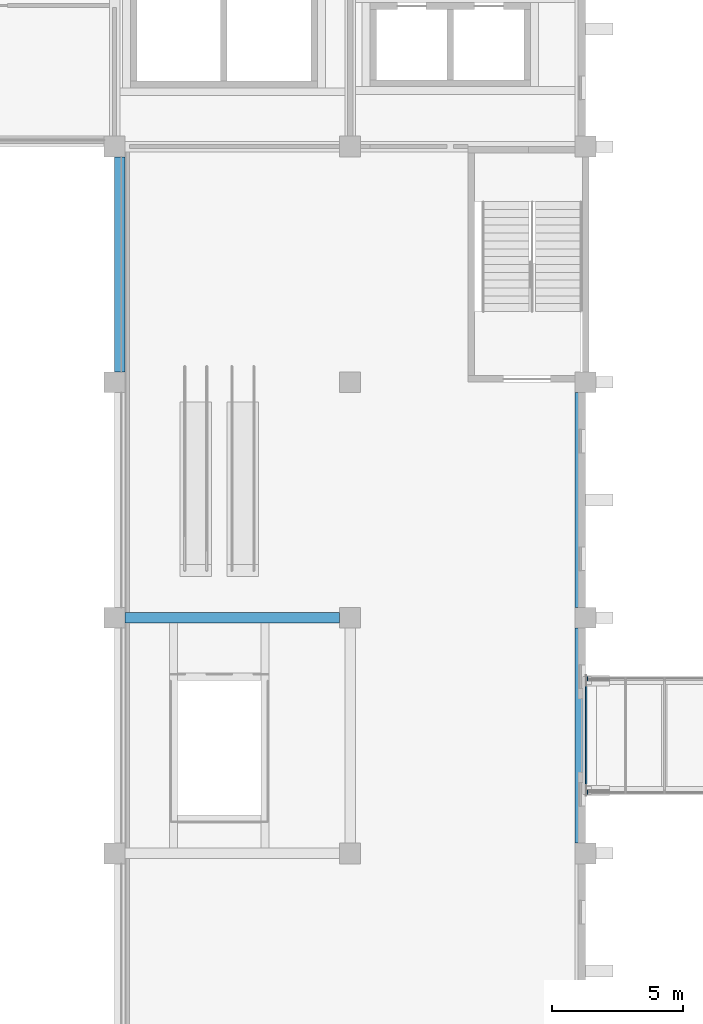
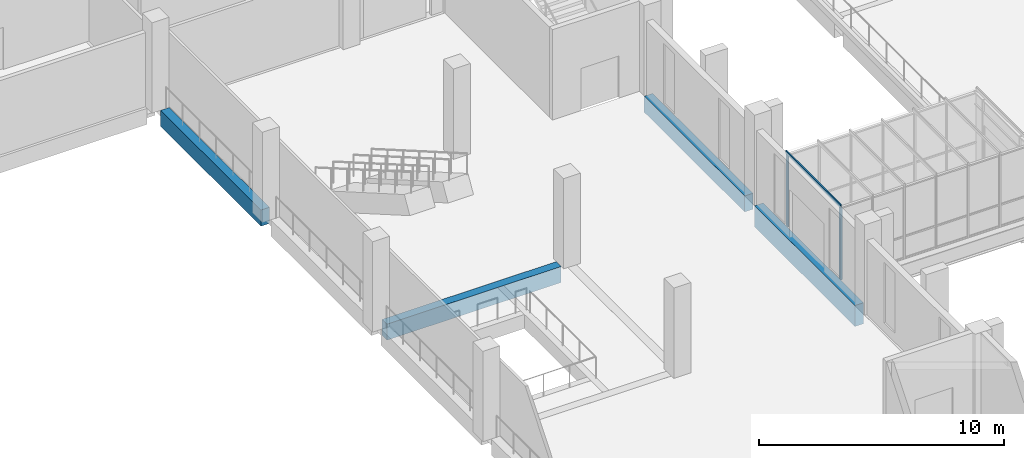
# One storey, part 16 of 79: 4 beams, 3 members, 3 elements without a shape of their own.
"""IFC4 building model written with IfcOpenShell, lengths in metres."""

import ifcopenshell
import ifcopenshell.guid

model = None  # the IFC model being written
_history = None  # IfcOwnerHistory: only IFC2X3 demands one
_inside = {}  # id of a spatial element -> (the spatial element, [elements in it])
_under = {}  # id of a project, library or spatial element -> (it, [spatial elements below it])
_declared = {}  # id of a project -> (the project, [libraries it declares])
_typed = {}  # id of a type object -> (the type object, [elements of that type])
_made_of = {}  # id of a material, layer set ... -> (it, [elements and type objects made of it])


def new_model(schema):
    """Start an empty IFC model of exactly this schema.

    Asked for "IFC4X3", IfcOpenShell would pick the latest addendum, in which some entities
    have other attributes; the version numbers below select the first issue.
    IFC2X3 requires an IfcOwnerHistory on every rooted entity: one is made here for all.
    """
    global model, _history
    if schema == "IFC4X3":
        model = ifcopenshell.file(schema_version=(4, 3, 0, 0))
    else:
        model = ifcopenshell.file(schema=schema)
    _inside.clear()
    _under.clear()
    _declared.clear()
    _typed.clear()
    _made_of.clear()
    _history = None
    if model.schema == "IFC2X3":
        org = make("IfcOrganization", Name="unknown")
        user = make(
            "IfcPersonAndOrganization",
            ThePerson=make("IfcPerson", FamilyName="unknown"),
            TheOrganization=org,
        )
        app = make(
            "IfcApplication",
            ApplicationDeveloper=org,
            Version="unknown",
            ApplicationFullName="unknown",
            ApplicationIdentifier="unknown",
        )
        _history = make(
            "IfcOwnerHistory",
            OwningUser=user,
            OwningApplication=app,
            ChangeAction="ADDED",
            CreationDate=0,
        )
    return model


def make(cls, **values):
    """One entity of the class cls with the attributes given. An attribute that is None is left unset."""
    return model.create_entity(
        cls, **{name: value for name, value in values.items() if value is not None}
    )


def rooted(cls, **values):
    """An entity with a GlobalId (a new one), such as an element, a storey or a relation."""
    return make(cls, GlobalId=ifcopenshell.guid.new(), OwnerHistory=_history, **values)


def si_unit(unit_type, name, prefix=None):
    """IfcSIUnit, for example si_unit("LENGTHUNIT", "METRE", prefix="MILLI")."""
    return make("IfcSIUnit", UnitType=unit_type, Prefix=prefix, Name=name)


def assignment(units):
    """IfcUnitAssignment: the units of a project."""
    return None if units is None else make("IfcUnitAssignment", Units=units)


def point(xyz):
    """IfcCartesianPoint."""
    return None if xyz is None else make("IfcCartesianPoint", Coordinates=xyz)


def direction(xyz):
    """IfcDirection."""
    return None if xyz is None else make("IfcDirection", DirectionRatios=xyz)


def frame(location, z_axis=None, x_axis=None):
    """IfcAxis2Placement3D, a coordinate frame: its origin and axes. An axis left out is left unset."""
    return make(
        "IfcAxis2Placement3D",
        Location=point(location),
        Axis=direction(z_axis),
        RefDirection=direction(x_axis),
    )


def frame_2d(location, x_axis=None):
    """IfcAxis2Placement2D, a coordinate frame in the plane: its origin and x axis."""
    return make(
        "IfcAxis2Placement2D", Location=point(location), RefDirection=direction(x_axis)
    )


def origin():
    """The frame at (0, 0, 0) with its axes left unset."""
    return frame((0.0, 0.0, 0.0))


def origin_2d():
    """The frame at (0, 0) in the plane with its x axis left unset."""
    return frame_2d((0.0, 0.0))


def place(relative_to, where):
    """IfcLocalPlacement: puts the frame where relative to a parent placement (None: the world)."""
    return make(
        "IfcLocalPlacement", PlacementRelTo=relative_to, RelativePlacement=where
    )


def context(
    kind, dimensions, precision=None, world=None, true_north=None, identifier=None
):
    """IfcGeometricRepresentationContext, for example the 3D "Model" context."""
    return make(
        "IfcGeometricRepresentationContext",
        ContextIdentifier=identifier,
        ContextType=kind,
        CoordinateSpaceDimension=dimensions,
        Precision=precision,
        WorldCoordinateSystem=world,
        TrueNorth=true_north,
    )


def subcontext(parent, identifier, kind, view, scale=None):
    """IfcGeometricRepresentationSubContext, for example "Body" below "Model"."""
    return make(
        "IfcGeometricRepresentationSubContext",
        ContextIdentifier=identifier,
        ContextType=kind,
        ParentContext=parent,
        TargetScale=scale,
        TargetView=view,
    )


def project(units=None, contexts=None):
    """IfcProject with its units and contexts."""
    return rooted(
        "IfcProject",
        Name="project",
        RepresentationContexts=contexts,
        UnitsInContext=assignment(units),
    )


def spatial(cls, under=None, at=None, **own):
    """A site, building, storey or space (cls), placed at a placement, below another one or the project."""
    s = rooted(cls, ObjectPlacement=at, **own)
    if under is not None:
        _under.setdefault(under.id(), (under, []))[1].append(s)
    return s


def profile(cls, at=None, kind="AREA", **sizes):
    """A parametric profile (cls). Its sizes go by their IFC names, for example OverallWidth=200.0."""
    return make(cls, ProfileType=kind, Position=at, **sizes)


def rectangle(**sizes):
    """IfcRectangleProfileDef."""
    return profile("IfcRectangleProfileDef", **sizes)


def extrude(swept, where, along, depth):
    """IfcExtrudedAreaSolid: the profile swept, set in the frame where, extruded along a direction by depth."""
    return make(
        "IfcExtrudedAreaSolid",
        SweptArea=swept,
        Position=where,
        ExtrudedDirection=direction(along),
        Depth=depth,
    )


def shape(context_of_items, identifier, shape_type, items):
    """IfcShapeRepresentation: the items that make up one representation, for example the "Body"."""
    return make(
        "IfcShapeRepresentation",
        ContextOfItems=context_of_items,
        RepresentationIdentifier=identifier,
        RepresentationType=shape_type,
        Items=items,
    )


def material(Name=None, Category=None):
    """IfcMaterial."""
    return make("IfcMaterial", Name=Name, Category=Category)


def layer(
    of_material, thickness, ventilated=None, Name=None, Category=None, Priority=None
):
    """IfcMaterialLayer: one layer of a wall or slab, of a material (None: an air gap)."""
    return make(
        "IfcMaterialLayer",
        Material=of_material,
        LayerThickness=thickness,
        IsVentilated=ventilated,
        Name=Name,
        Category=Category,
        Priority=Priority,
    )


def layer_set(layers, Name=None):
    """IfcMaterialLayerSet."""
    return make("IfcMaterialLayerSet", MaterialLayers=layers, LayerSetName=Name)


def material_profile(
    of_material, cross_section, Name=None, Category=None, Priority=None
):
    """IfcMaterialProfile: a cross section and its material."""
    return make(
        "IfcMaterialProfile",
        Name=Name,
        Material=of_material,
        Profile=cross_section,
        Priority=Priority,
        Category=Category,
    )


def profile_set(profiles, Name=None, composite=None):
    """IfcMaterialProfileSet."""
    return make(
        "IfcMaterialProfileSet",
        Name=Name,
        MaterialProfiles=profiles,
        CompositeProfile=composite,
    )


def made_of(thing, what):
    """Note that an element or type object is made of a material, layer set ...; save() writes the relation."""
    if what is not None:
        _made_of.setdefault(what.id(), (what, []))[1].append(thing)
    return thing


def type_object(cls, material=None, **own):
    """A type object (cls), such as IfcWallType, which elements share."""
    return made_of(rooted(cls, **own), material)


def element(
    cls,
    number,
    at=None,
    inside=None,
    cuts=None,
    type_object=None,
    material=None,
    context=None,
    identifier="Body",
    shape_type=None,
    held_by="IfcProductDefinitionShape",
    body=None,
    shapes=None,
    **own,
):
    """One element of the class cls, such as IfcWall. Its Tag is "e" and its number.

    at: its placement. inside: the storey or other place that contains it. cuts: it is an
    opening in that element (IfcRelVoidsElement). A single representation is given by context,
    identifier, shape_type and body (its items); several are given by shapes. held_by: the class
    of the entity that holds the representations. save() writes the other relations.
    """
    e = rooted(cls, Tag="e%d" % number, ObjectPlacement=at, **own)
    if body is not None:
        shapes = [shape(context, identifier, shape_type, body)]
    if shapes is not None:
        e.Representation = make(held_by, Representations=shapes)
    if inside is not None:
        _inside.setdefault(inside.id(), (inside, []))[1].append(e)
    if cuts is not None:
        rooted(
            "IfcRelVoidsElement", RelatingBuildingElement=cuts, RelatedOpeningElement=e
        )
    if type_object is not None:
        _typed.setdefault(type_object.id(), (type_object, []))[1].append(e)
    return made_of(e, material)


def aggregate(whole, parts):
    """IfcRelAggregates: a whole, such as a stair, and the parts it consists of."""
    return rooted("IfcRelAggregates", RelatingObject=whole, RelatedObjects=parts)


def save(model, path):
    """Write the relations noted so far, then the file.

    IfcRelAggregates (storeys below a building ...), IfcRelContainedInSpatialStructure (elements
    in a storey), IfcRelDefinesByType, IfcRelAssociatesMaterial and IfcRelDeclares: one each for
    every whole, place, type object, material and project.
    """
    for whole, parts in _under.values():
        aggregate(whole, parts)
    for where, things in _inside.values():
        rooted(
            "IfcRelContainedInSpatialStructure",
            RelatedElements=things,
            RelatingStructure=where,
        )
    for kind, things in _typed.values():
        rooted("IfcRelDefinesByType", RelatedObjects=things, RelatingType=kind)
    for what, things in _made_of.values():
        rooted("IfcRelAssociatesMaterial", RelatedObjects=things, RelatingMaterial=what)
    for by, libraries in _declared.values():
        rooted("IfcRelDeclares", RelatingContext=by, RelatedDefinitions=libraries)
    model.write(path)


model = new_model("IFC4")

# Units and contexts
model_context = context("Model", 3, precision=1e-05, world=origin(), true_north=direction((0.0, 1.0)))
body_context = subcontext(model_context, "Body", "Model", "MODEL_VIEW")
ifc_project = project(units=[si_unit("LENGTHUNIT", "METRE"), si_unit("AREAUNIT", "SQUARE_METRE"), si_unit("VOLUMEUNIT", "CUBIC_METRE"), si_unit("PLANEANGLEUNIT", "RADIAN"), si_unit("MASSUNIT", "GRAM", prefix="KILO")], contexts=[model_context])

# Site, building, storey
site_placement = place(None, origin())
site = spatial("IfcSite", under=ifc_project, at=site_placement, CompositionType="ELEMENT")
building_placement = place(site_placement, origin())
building = spatial("IfcBuilding", under=site, at=building_placement, Name="Guidao Yard Department Store", CompositionType="ELEMENT")
storey_placement = place(building_placement, frame((0.0, 0.0, 15.0)))
storey = spatial("IfcBuildingStorey", under=building, at=storey_placement, Name="L03", CompositionType="ELEMENT", Elevation=15.0)

# Beams
ifc_material_1 = material(Name="Concrete C40", Category="concrete")
ifc_material_profile_1 = material_profile(ifc_material_1, rectangle(XDim=0.39990234375, YDim=1.050048828125, at=origin_2d()), Name="Bridge landing beam 400 x 1050 C40")
ifc_profile_set_1 = profile_set([ifc_material_profile_1], Name="Concrete C40")
beam_type_1 = type_object("IfcBeamType", Name="Bridge landing beam 400 x 1050 C40", PredefinedType="BEAM", material=ifc_profile_set_1)
beam_1_placement = place(storey_placement, frame((62.800048828125, 63.39990234375, -0.52490234375), z_axis=(0.0, 1.0, 0.0), x_axis=(-1.0, 0.0, 0.0)))
element("IfcBeam", 1, at=beam_1_placement, inside=storey, type_object=beam_type_1, Name="Beam LB01", PredefinedType="BEAM", context=body_context, shape_type="SweptSolid", body=[
    extrude(rectangle(XDim=0.39990234375, YDim=1.050048828125, at=origin_2d()), origin(), (0.0, 0.0, 1.0), 8.2001953125),
])
ifc_material_2 = material(Name="Concrete C40", Category="concrete")
ifc_material_profile_2 = material_profile(ifc_material_2, rectangle(XDim=0.39990234375, YDim=0.800048828125, at=origin_2d()), Name="Edge beam 400 x 800 C40")
ifc_profile_set_2 = profile_set([ifc_material_profile_2], Name="Concrete C40")
beam_type_2 = type_object("IfcBeamType", Name="Edge beam 400 x 800 C40", PredefinedType="BEAM", material=ifc_profile_set_2)
for number, where, z_axis, x_axis, name in (
    (2, (45.199951171875, 81.39990234375, -0.39990234375), (0.0, 1.0, 0.0), (-1.0, 0.0, 0.0), "Beam EB26"),
    (3, (45.39990234375, 72.0, -0.39990234375), (1.0, 0.0, 0.0), (0.0, 1.0, 0.0), "Beam EB40"),
):
    element("IfcBeam", number, at=place(storey_placement, frame(where, z_axis=z_axis, x_axis=x_axis)), inside=storey, type_object=beam_type_2, Name=name, PredefinedType="BEAM", context=body_context, shape_type="SweptSolid", body=[
        extrude(rectangle(XDim=0.39990234375, YDim=0.800048828125, at=origin_2d()), origin(), (0.0, 0.0, 1.0), 8.2001953125),
    ])

# Curtain wall, member
ifc_material_3 = material(Name="Aluminium and glass", Category="aluminium")
ifc_layer = layer(ifc_material_3, 0.159912109375)
ifc_layer_set = layer_set([ifc_layer], Name="Bridge glazing CW5 1500 module")
curtain_wall_type = type_object("IfcCurtainWallType", Name="Bridge glazing CW5 1500 module", PredefinedType="NOTDEFINED", material=ifc_layer_set)
curtain_wall_1_placement = place(storey_placement, origin())
curtain_wall_1 = element("IfcCurtainWall", 4, at=curtain_wall_1_placement, inside=storey, type_object=curtain_wall_type, Name="Bridge glazing BR05 S", PredefinedType="NOTDEFINED")
ifc_material_4 = material(Name="Aluminium 6063-T5", Category="aluminium")
ifc_material_profile_3 = material_profile(ifc_material_4, rectangle(XDim=0.06005859375, YDim=0.159912109375, at=origin_2d()), Name="Mullion M1 60 x 160 aluminium pressure plate")
ifc_profile_set_3 = profile_set([ifc_material_profile_3], Name="Aluminium 6063-T5")
member_type_1 = type_object("IfcMemberType", Name="Mullion M1 60 x 160 aluminium pressure plate", PredefinedType="MULLION", material=ifc_profile_set_3)
member_1_placement = place(storey_placement, frame((63.044921875, 65.330078125, 0.0), z_axis=(0.0, 0.0, 1.0), x_axis=(-1.0, 0.0, 0.0)))
member_1 = element("IfcMember", 5, at=member_1_placement, type_object=member_type_1, Name="CW-S-L03-01 mullion 1", PredefinedType="MULLION", context=body_context, shape_type="SweptSolid", body=[
    extrude(rectangle(XDim=0.06005859375, YDim=0.159912109375, at=origin_2d()), origin(), (0.0, 0.0, 1.0), 3.60009765625),
])
aggregate(curtain_wall_1, [member_1])

curtain_wall_2_placement = place(storey_placement, origin())
curtain_wall_2 = element("IfcCurtainWall", 6, at=curtain_wall_2_placement, inside=storey, type_object=curtain_wall_type, Name="Bridge glazing BR05 N", PredefinedType="NOTDEFINED")
member_2_placement = place(storey_placement, frame((63.044921875, 69.669921875, 0.0), z_axis=(0.0, 0.0, 1.0), x_axis=(1.0, 0.0, 0.0)))
member_2 = element("IfcMember", 7, at=member_2_placement, type_object=member_type_1, Name="CW-N-L03-02 mullion 1", PredefinedType="MULLION", context=body_context, shape_type="SweptSolid", body=[
    extrude(rectangle(XDim=0.06005859375, YDim=0.159912109375, at=origin_2d()), origin(), (0.0, 0.0, 1.0), 3.60009765625),
])
aggregate(curtain_wall_2, [member_2])

curtain_wall_3_placement = place(storey_placement, origin())
curtain_wall_3 = element("IfcCurtainWall", 8, at=curtain_wall_3_placement, inside=storey, type_object=curtain_wall_type, Name="Bridge roof glazing BR05", PredefinedType="NOTDEFINED")
ifc_material_5 = material(Name="Aluminium 6063-T5", Category="aluminium")
ifc_material_profile_4 = material_profile(ifc_material_5, rectangle(XDim=0.06005859375, YDim=0.159912109375, at=origin_2d()), Name="Roof bar RB1 60 x 160 aluminium")
ifc_profile_set_4 = profile_set([ifc_material_profile_4], Name="Aluminium 6063-T5")
member_type_2 = type_object("IfcMemberType", Name="Roof bar RB1 60 x 160 aluminium", PredefinedType="USERDEFINED", material=ifc_profile_set_4)
member_3_placement = place(storey_placement, frame((63.014892578125, 65.25, 3.679931640625), z_axis=(0.0, 1.0, 0.0), x_axis=(-1.0, 0.0, 0.0)))
member_3 = element("IfcMember", 9, at=member_3_placement, type_object=member_type_2, Name="Bridge roof bar BR05", ObjectType="TRANSOM", PredefinedType="USERDEFINED", context=body_context, shape_type="SweptSolid", body=[
    extrude(rectangle(XDim=0.06005859375, YDim=0.159912109375, at=origin_2d()), origin(), (0.0, 0.0, 1.0), 4.5),
])
aggregate(curtain_wall_3, [member_3])

# Beam
ifc_material_6 = material(Name="Concrete C40", Category="concrete")
ifc_material_profile_5 = material_profile(ifc_material_6, rectangle(XDim=0.39990234375, YDim=0.800048828125, at=origin_2d()), Name="Spandrel beam 400 x 800 C40")
ifc_profile_set_5 = profile_set([ifc_material_profile_5], Name="Concrete C40")
beam_type_3 = type_object("IfcBeamType", Name="Spandrel beam 400 x 800 C40", PredefinedType="SPANDREL", material=ifc_profile_set_5)
beam_2_placement = place(storey_placement, frame((62.800048828125, 72.39990234375, -0.39990234375), z_axis=(0.0, 1.0, 0.0), x_axis=(-1.0, 0.0, 0.0)))
element("IfcBeam", 10, at=beam_2_placement, inside=storey, type_object=beam_type_3, Name="Beam EB15", PredefinedType="SPANDREL", context=body_context, shape_type="SweptSolid", body=[
    extrude(rectangle(XDim=0.39990234375, YDim=0.800048828125, at=origin_2d()), origin(), (0.0, 0.0, 1.0), 8.2001953125),
])

save(model, "model.ifc")
